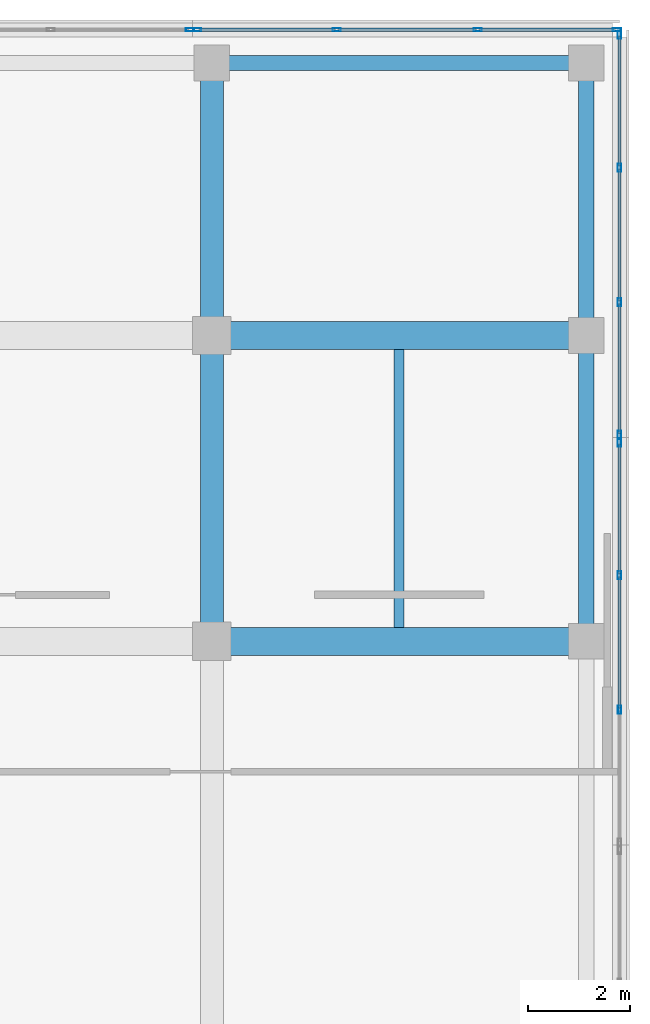
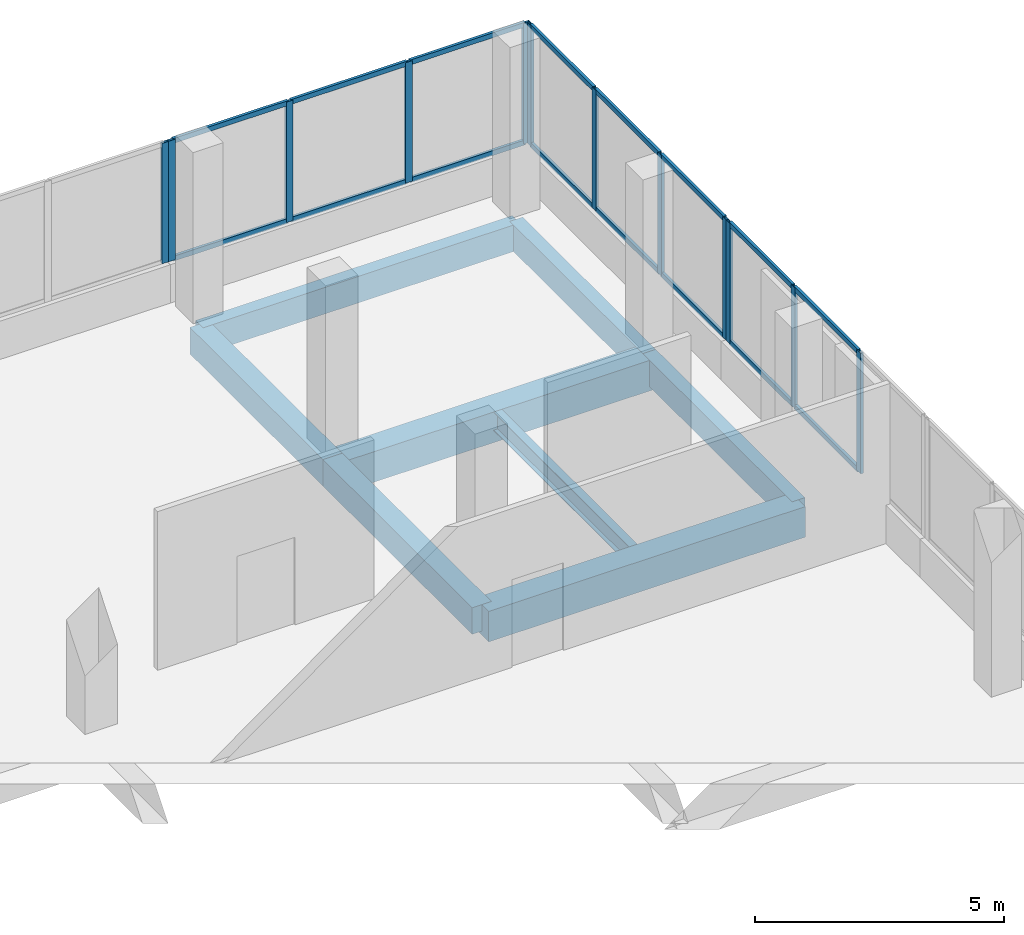
# One storey, part 141 of 184: 28 members, 8 beams, 4 elements without a shape of their own.
"""IFC4 building model written with IfcOpenShell, lengths in metres."""

import ifcopenshell
import ifcopenshell.guid

model = None  # the IFC model being written
_history = None  # IfcOwnerHistory: only IFC2X3 demands one
_inside = {}  # id of a spatial element -> (the spatial element, [elements in it])
_under = {}  # id of a project, library or spatial element -> (it, [spatial elements below it])
_declared = {}  # id of a project -> (the project, [libraries it declares])
_typed = {}  # id of a type object -> (the type object, [elements of that type])
_made_of = {}  # id of a material, layer set ... -> (it, [elements and type objects made of it])


def new_model(schema):
    """Start an empty IFC model of exactly this schema.

    Asked for "IFC4X3", IfcOpenShell would pick the latest addendum, in which some entities
    have other attributes; the version numbers below select the first issue.
    IFC2X3 requires an IfcOwnerHistory on every rooted entity: one is made here for all.
    """
    global model, _history
    if schema == "IFC4X3":
        model = ifcopenshell.file(schema_version=(4, 3, 0, 0))
    else:
        model = ifcopenshell.file(schema=schema)
    _inside.clear()
    _under.clear()
    _declared.clear()
    _typed.clear()
    _made_of.clear()
    _history = None
    if model.schema == "IFC2X3":
        org = make("IfcOrganization", Name="unknown")
        user = make(
            "IfcPersonAndOrganization",
            ThePerson=make("IfcPerson", FamilyName="unknown"),
            TheOrganization=org,
        )
        app = make(
            "IfcApplication",
            ApplicationDeveloper=org,
            Version="unknown",
            ApplicationFullName="unknown",
            ApplicationIdentifier="unknown",
        )
        _history = make(
            "IfcOwnerHistory",
            OwningUser=user,
            OwningApplication=app,
            ChangeAction="ADDED",
            CreationDate=0,
        )
    return model


def make(cls, **values):
    """One entity of the class cls with the attributes given. An attribute that is None is left unset."""
    return model.create_entity(
        cls, **{name: value for name, value in values.items() if value is not None}
    )


def rooted(cls, **values):
    """An entity with a GlobalId (a new one), such as an element, a storey or a relation."""
    return make(cls, GlobalId=ifcopenshell.guid.new(), OwnerHistory=_history, **values)


def si_unit(unit_type, name, prefix=None):
    """IfcSIUnit, for example si_unit("LENGTHUNIT", "METRE", prefix="MILLI")."""
    return make("IfcSIUnit", UnitType=unit_type, Prefix=prefix, Name=name)


def assignment(units):
    """IfcUnitAssignment: the units of a project."""
    return None if units is None else make("IfcUnitAssignment", Units=units)


def point(xyz):
    """IfcCartesianPoint."""
    return None if xyz is None else make("IfcCartesianPoint", Coordinates=xyz)


def direction(xyz):
    """IfcDirection."""
    return None if xyz is None else make("IfcDirection", DirectionRatios=xyz)


def frame(location, z_axis=None, x_axis=None):
    """IfcAxis2Placement3D, a coordinate frame: its origin and axes. An axis left out is left unset."""
    return make(
        "IfcAxis2Placement3D",
        Location=point(location),
        Axis=direction(z_axis),
        RefDirection=direction(x_axis),
    )


def frame_2d(location, x_axis=None):
    """IfcAxis2Placement2D, a coordinate frame in the plane: its origin and x axis."""
    return make(
        "IfcAxis2Placement2D", Location=point(location), RefDirection=direction(x_axis)
    )


def origin():
    """The frame at (0, 0, 0) with its axes left unset."""
    return frame((0.0, 0.0, 0.0))


def origin_2d():
    """The frame at (0, 0) in the plane with its x axis left unset."""
    return frame_2d((0.0, 0.0))


def place(relative_to, where):
    """IfcLocalPlacement: puts the frame where relative to a parent placement (None: the world)."""
    return make(
        "IfcLocalPlacement", PlacementRelTo=relative_to, RelativePlacement=where
    )


def context(
    kind, dimensions, precision=None, world=None, true_north=None, identifier=None
):
    """IfcGeometricRepresentationContext, for example the 3D "Model" context."""
    return make(
        "IfcGeometricRepresentationContext",
        ContextIdentifier=identifier,
        ContextType=kind,
        CoordinateSpaceDimension=dimensions,
        Precision=precision,
        WorldCoordinateSystem=world,
        TrueNorth=true_north,
    )


def subcontext(parent, identifier, kind, view, scale=None):
    """IfcGeometricRepresentationSubContext, for example "Body" below "Model"."""
    return make(
        "IfcGeometricRepresentationSubContext",
        ContextIdentifier=identifier,
        ContextType=kind,
        ParentContext=parent,
        TargetScale=scale,
        TargetView=view,
    )


def project(units=None, contexts=None):
    """IfcProject with its units and contexts."""
    return rooted(
        "IfcProject",
        Name="project",
        RepresentationContexts=contexts,
        UnitsInContext=assignment(units),
    )


def spatial(cls, under=None, at=None, **own):
    """A site, building, storey or space (cls), placed at a placement, below another one or the project."""
    s = rooted(cls, ObjectPlacement=at, **own)
    if under is not None:
        _under.setdefault(under.id(), (under, []))[1].append(s)
    return s


def profile(cls, at=None, kind="AREA", **sizes):
    """A parametric profile (cls). Its sizes go by their IFC names, for example OverallWidth=200.0."""
    return make(cls, ProfileType=kind, Position=at, **sizes)


def rectangle(**sizes):
    """IfcRectangleProfileDef."""
    return profile("IfcRectangleProfileDef", **sizes)


def hollow_rectangle(**sizes):
    """IfcRectangleHollowProfileDef."""
    return profile("IfcRectangleHollowProfileDef", **sizes)


def i_section(**sizes):
    """IfcIShapeProfileDef."""
    return profile("IfcIShapeProfileDef", **sizes)


def extrude(swept, where, along, depth):
    """IfcExtrudedAreaSolid: the profile swept, set in the frame where, extruded along a direction by depth."""
    return make(
        "IfcExtrudedAreaSolid",
        SweptArea=swept,
        Position=where,
        ExtrudedDirection=direction(along),
        Depth=depth,
    )


def shape(context_of_items, identifier, shape_type, items):
    """IfcShapeRepresentation: the items that make up one representation, for example the "Body"."""
    return make(
        "IfcShapeRepresentation",
        ContextOfItems=context_of_items,
        RepresentationIdentifier=identifier,
        RepresentationType=shape_type,
        Items=items,
    )


def material(Name=None, Category=None):
    """IfcMaterial."""
    return make("IfcMaterial", Name=Name, Category=Category)


def material_profile(
    of_material, cross_section, Name=None, Category=None, Priority=None
):
    """IfcMaterialProfile: a cross section and its material."""
    return make(
        "IfcMaterialProfile",
        Name=Name,
        Material=of_material,
        Profile=cross_section,
        Priority=Priority,
        Category=Category,
    )


def profile_set(profiles, Name=None, composite=None):
    """IfcMaterialProfileSet."""
    return make(
        "IfcMaterialProfileSet",
        Name=Name,
        MaterialProfiles=profiles,
        CompositeProfile=composite,
    )


def made_of(thing, what):
    """Note that an element or type object is made of a material, layer set ...; save() writes the relation."""
    if what is not None:
        _made_of.setdefault(what.id(), (what, []))[1].append(thing)
    return thing


def type_object(cls, material=None, **own):
    """A type object (cls), such as IfcWallType, which elements share."""
    return made_of(rooted(cls, **own), material)


def element(
    cls,
    number,
    at=None,
    inside=None,
    cuts=None,
    type_object=None,
    material=None,
    context=None,
    identifier="Body",
    shape_type=None,
    held_by="IfcProductDefinitionShape",
    body=None,
    shapes=None,
    **own,
):
    """One element of the class cls, such as IfcWall. Its Tag is "e" and its number.

    at: its placement. inside: the storey or other place that contains it. cuts: it is an
    opening in that element (IfcRelVoidsElement). A single representation is given by context,
    identifier, shape_type and body (its items); several are given by shapes. held_by: the class
    of the entity that holds the representations. save() writes the other relations.
    """
    e = rooted(cls, Tag="e%d" % number, ObjectPlacement=at, **own)
    if body is not None:
        shapes = [shape(context, identifier, shape_type, body)]
    if shapes is not None:
        e.Representation = make(held_by, Representations=shapes)
    if inside is not None:
        _inside.setdefault(inside.id(), (inside, []))[1].append(e)
    if cuts is not None:
        rooted(
            "IfcRelVoidsElement", RelatingBuildingElement=cuts, RelatedOpeningElement=e
        )
    if type_object is not None:
        _typed.setdefault(type_object.id(), (type_object, []))[1].append(e)
    return made_of(e, material)


def aggregate(whole, parts):
    """IfcRelAggregates: a whole, such as a stair, and the parts it consists of."""
    return rooted("IfcRelAggregates", RelatingObject=whole, RelatedObjects=parts)


def save(model, path):
    """Write the relations noted so far, then the file.

    IfcRelAggregates (storeys below a building ...), IfcRelContainedInSpatialStructure (elements
    in a storey), IfcRelDefinesByType, IfcRelAssociatesMaterial and IfcRelDeclares: one each for
    every whole, place, type object, material and project.
    """
    for whole, parts in _under.values():
        aggregate(whole, parts)
    for where, things in _inside.values():
        rooted(
            "IfcRelContainedInSpatialStructure",
            RelatedElements=things,
            RelatingStructure=where,
        )
    for kind, things in _typed.values():
        rooted("IfcRelDefinesByType", RelatedObjects=things, RelatingType=kind)
    for what, things in _made_of.values():
        rooted("IfcRelAssociatesMaterial", RelatedObjects=things, RelatingMaterial=what)
    for by, libraries in _declared.values():
        rooted("IfcRelDeclares", RelatingContext=by, RelatedDefinitions=libraries)
    model.write(path)


model = new_model("IFC4")

# Units and contexts
model_context = context("Model", 3, precision=1e-05, world=origin(), true_north=direction((0.0, 1.0)))
body_context = subcontext(model_context, "Body", "Model", "MODEL_VIEW")
ifc_project = project(units=[si_unit("LENGTHUNIT", "METRE"), si_unit("AREAUNIT", "SQUARE_METRE"), si_unit("VOLUMEUNIT", "CUBIC_METRE"), si_unit("PLANEANGLEUNIT", "RADIAN"), si_unit("MASSUNIT", "GRAM", prefix="KILO")], contexts=[model_context])

# Site, building, storey
site_placement = place(None, origin())
site = spatial("IfcSite", under=ifc_project, at=site_placement, CompositionType="ELEMENT")
building_placement = place(site_placement, origin())
building = spatial("IfcBuilding", under=site, at=building_placement, Name="Selatvlak General Hospital", CompositionType="ELEMENT")
storey_placement = place(building_placement, frame((0.0, 0.0, 15.0)))
storey = spatial("IfcBuildingStorey", under=building, at=storey_placement, Name="L03", CompositionType="ELEMENT", Elevation=15.0)

# Beams
ifc_material_1 = material(Name="Concrete C40/50", Category="concrete")
ifc_material_profile_1 = material_profile(ifc_material_1, rectangle(XDim=0.550048828125, YDim=0.75, at=origin_2d()), Name="RC-BM 550x750")
ifc_profile_set_1 = profile_set([ifc_material_profile_1], Name="Concrete C40/50")
beam_type_1 = type_object("IfcBeamType", Name="BM-G02", PredefinedType="BEAM", material=ifc_profile_set_1)
for number, where, z_axis, x_axis, name in (
    (1, (174.0, 108.0, -0.715087890625), (1.0, 0.0, 0.0), (0.0, 1.0, 0.0), "Beam BMR-L03-1261"),
    (2, (174.0, 114.0, -0.715087890625), (1.0, 0.0, 0.0), (0.0, 1.0, 0.0), "Beam BMR-L03-1274"),
):
    element("IfcBeam", number, at=place(storey_placement, frame(where, z_axis=z_axis, x_axis=x_axis)), inside=storey, type_object=beam_type_1, Name=name, PredefinedType="BEAM", context=body_context, shape_type="SweptSolid", body=[
        extrude(rectangle(XDim=0.550048828125, YDim=0.75, at=origin_2d()), origin(), (0.0, 0.0, 1.0), 7.35009765625),
    ])
ifc_material_profile_2 = material_profile(ifc_material_1, rectangle(XDim=0.449951171875, YDim=0.64990234375, at=origin_2d()), Name="RC-BM 450x650")
ifc_profile_set_2 = profile_set([ifc_material_profile_2], Name="Concrete C40/50")
beam_type_2 = type_object("IfcBeamType", Name="BM-G04", PredefinedType="BEAM", material=ifc_profile_set_2)
beam_1_placement = place(storey_placement, frame((174.0, 108.0, -0.6650390625), z_axis=(0.0, 1.0, 0.0), x_axis=(-1.0, 0.0, 0.0)))
element("IfcBeam", 3, at=beam_1_placement, inside=storey, type_object=beam_type_2, Name="Beam BMR-L03-1417", PredefinedType="BEAM", context=body_context, shape_type="SweptSolid", body=[
    extrude(rectangle(XDim=0.449951171875, YDim=0.64990234375, at=origin_2d()), origin(), (0.0, 0.0, 1.0), 6.0),
])
beam_2_placement = place(storey_placement, frame((174.0, 114.0, -0.6650390625), z_axis=(0.0, 1.0, 0.0), x_axis=(-1.0, 0.0, 0.0)))
element("IfcBeam", 4, at=beam_2_placement, inside=storey, type_object=beam_type_2, Name="Beam BMR-L03-1418", PredefinedType="BEAM", context=body_context, shape_type="SweptSolid", body=[
    extrude(rectangle(XDim=0.449951171875, YDim=0.64990234375, at=origin_2d()), origin(), (0.0, 0.0, 1.0), 5.35009765625),
])
ifc_material_2 = material(Name="Steel S355", Category="steel")
ifc_material_profile_3 = material_profile(ifc_material_2, i_section(OverallWidth=0.1904296875, OverallDepth=0.45703125, WebThickness=0.009033203125, FlangeThickness=0.014404296875, at=origin_2d()), Name="UB 457x191x74")
ifc_profile_set_3 = profile_set([ifc_material_profile_3], Name="Steel S355")
beam_type_3 = type_object("IfcBeamType", Name="BM-J03", PredefinedType="JOIST", material=ifc_profile_set_3)
beam_3_placement = place(storey_placement, frame((177.675048828125, 108.27490234375, -0.569091796875), z_axis=(0.0, 1.0, 0.0), x_axis=(-1.0, 0.0, 0.0)))
element("IfcBeam", 5, at=beam_3_placement, inside=storey, type_object=beam_type_3, Name="Beam BMR-L03-1445", PredefinedType="JOIST", context=body_context, shape_type="SweptSolid", body=[
    extrude(i_section(OverallWidth=0.1904296875, OverallDepth=0.45703125, WebThickness=0.009033203125, FlangeThickness=0.014404296875, at=origin_2d()), origin(), (0.0, 0.0, 1.0), 5.4501953125),
])
ifc_material_profile_4 = material_profile(ifc_material_1, rectangle(XDim=0.300048828125, YDim=0.64990234375, at=origin_2d()), Name="RC-SP 300x650")
ifc_profile_set_4 = profile_set([ifc_material_profile_4], Name="Concrete C40/50")
beam_type_4 = type_object("IfcBeamType", Name="BM-SP1", PredefinedType="SPANDREL", material=ifc_profile_set_4)
beam_4_placement = place(storey_placement, frame((174.0, 119.35009765625, -0.6650390625), z_axis=(1.0, 0.0, 0.0), x_axis=(0.0, 1.0, 0.0)))
element("IfcBeam", 6, at=beam_4_placement, inside=storey, type_object=beam_type_4, Name="Beam BMR-L03-1290", PredefinedType="SPANDREL", context=body_context, shape_type="SweptSolid", body=[
    extrude(rectangle(XDim=0.300048828125, YDim=0.64990234375, at=origin_2d()), origin(), (0.0, 0.0, 1.0), 7.35009765625),
])
beam_5_placement = place(storey_placement, frame((181.35009765625, 108.0, -0.6650390625), z_axis=(0.0, 1.0, 0.0), x_axis=(-1.0, 0.0, 0.0)))
element("IfcBeam", 7, at=beam_5_placement, inside=storey, type_object=beam_type_4, Name="Beam BMR-L03-1427", PredefinedType="SPANDREL", context=body_context, shape_type="SweptSolid", body=[
    extrude(rectangle(XDim=0.300048828125, YDim=0.64990234375, at=origin_2d()), origin(), (0.0, 0.0, 1.0), 6.0),
])
beam_6_placement = place(storey_placement, frame((181.35009765625, 114.0, -0.6650390625), z_axis=(0.0, 1.0, 0.0), x_axis=(-1.0, 0.0, 0.0)))
element("IfcBeam", 8, at=beam_6_placement, inside=storey, type_object=beam_type_4, Name="Beam BMR-L03-1428", PredefinedType="SPANDREL", context=body_context, shape_type="SweptSolid", body=[
    extrude(rectangle(XDim=0.300048828125, YDim=0.64990234375, at=origin_2d()), origin(), (0.0, 0.0, 1.0), 5.35009765625),
])

# Curtain wall, member
ifc_material_3 = material(Name="Solar-control Low-E double glazing", Category="glass")
curtain_wall_type_1 = type_object("IfcCurtainWallType", Name="CW-CW-01", PredefinedType="USERDEFINED", material=ifc_material_3)
curtain_wall_1_placement = place(storey_placement, origin())
curtain_wall_1 = element("IfcCurtainWall", 9, at=curtain_wall_1_placement, inside=storey, type_object=curtain_wall_type_1, Name="Glazed facade curtain wall CW-L03-0382", ObjectType="UNITISED CURTAIN WALL", PredefinedType="USERDEFINED")
ifc_material_4 = material(Name="Dark anodised aluminium mullion", Category="aluminium")
ifc_material_profile_5 = material_profile(ifc_material_4, hollow_rectangle(XDim=0.06494140625, YDim=0.159912109375, WallThickness=0.00390625, at=origin_2d()), Name="AL-MUL 65x160x4")
ifc_profile_set_5 = profile_set([ifc_material_profile_5], Name="Dark anodised aluminium mullion")
member_type_1 = type_object("IfcMemberType", Name="CWM-01", PredefinedType="MULLION", material=ifc_profile_set_5)
member_1_placement = place(storey_placement, frame((173.571533203125, 120.0, 0.93994140625), z_axis=(0.0, 0.0, 1.0), x_axis=(0.0, 1.0, 0.0)))
member_1 = element("IfcMember", 10, at=member_1_placement, type_object=member_type_1, Name="CW-01 mullion 4", PredefinedType="MULLION", context=body_context, shape_type="SweptSolid", body=[
    extrude(hollow_rectangle(XDim=0.06494140625, YDim=0.159912109375, WallThickness=0.00390625, at=origin_2d()), origin(), (0.0, 0.0, 1.0), 2.955078125),
])
aggregate(curtain_wall_1, [member_1])

# Curtain wall, members
curtain_wall_type_2 = type_object("IfcCurtainWallType", Name="CW-CW-02", PredefinedType="USERDEFINED", material=ifc_material_3)
curtain_wall_2_placement = place(storey_placement, origin())
curtain_wall_2 = element("IfcCurtainWall", 11, at=curtain_wall_2_placement, inside=storey, type_object=curtain_wall_type_2, Name="Glazed facade curtain wall CW-L03-0383", ObjectType="UNITISED CURTAIN WALL", PredefinedType="USERDEFINED")
member_2_placement = place(storey_placement, frame((173.716552734375, 120.0, 0.93994140625), z_axis=(0.0, 0.0, 1.0), x_axis=(0.0, 1.0, 0.0)))
member_2 = element("IfcMember", 12, at=member_2_placement, type_object=member_type_1, Name="CW-02 mullion 1", PredefinedType="MULLION", context=body_context, shape_type="SweptSolid", body=[
    extrude(hollow_rectangle(XDim=0.06494140625, YDim=0.159912109375, WallThickness=0.00390625, at=origin_2d()), origin(), (0.0, 0.0, 1.0), 2.955078125),
])
member_3_placement = place(storey_placement, frame((176.45068359375, 120.0, 0.93994140625), z_axis=(0.0, 0.0, 1.0), x_axis=(0.0, 1.0, 0.0)))
member_3 = element("IfcMember", 13, at=member_3_placement, type_object=member_type_1, Name="CW-02 mullion 2", PredefinedType="MULLION", context=body_context, shape_type="SweptSolid", body=[
    extrude(hollow_rectangle(XDim=0.06494140625, YDim=0.159912109375, WallThickness=0.00390625, at=origin_2d()), origin(), (0.0, 0.0, 1.0), 2.955078125),
])
member_4_placement = place(storey_placement, frame((179.21728515625, 120.0, 0.93994140625), z_axis=(0.0, 0.0, 1.0), x_axis=(0.0, 1.0, 0.0)))
member_4 = element("IfcMember", 14, at=member_4_placement, type_object=member_type_1, Name="CW-02 mullion 3", PredefinedType="MULLION", context=body_context, shape_type="SweptSolid", body=[
    extrude(hollow_rectangle(XDim=0.06494140625, YDim=0.159912109375, WallThickness=0.00390625, at=origin_2d()), origin(), (0.0, 0.0, 1.0), 2.955078125),
])
member_5_placement = place(storey_placement, frame((181.951416015625, 120.0, 0.93994140625), z_axis=(0.0, 0.0, 1.0), x_axis=(0.0, 1.0, 0.0)))
member_5 = element("IfcMember", 15, at=member_5_placement, type_object=member_type_1, Name="CW-02 mullion 4", PredefinedType="MULLION", context=body_context, shape_type="SweptSolid", body=[
    extrude(hollow_rectangle(XDim=0.06494140625, YDim=0.159912109375, WallThickness=0.00390625, at=origin_2d()), origin(), (0.0, 0.0, 1.0), 2.955078125),
])

curtain_wall_type_3 = type_object("IfcCurtainWallType", Name="CW-CW-03", PredefinedType="USERDEFINED", material=ifc_material_3)
curtain_wall_3_placement = place(storey_placement, origin())
curtain_wall_3 = element("IfcCurtainWall", 16, at=curtain_wall_3_placement, inside=storey, type_object=curtain_wall_type_3, Name="Glazed facade curtain wall CW-L03-0384", ObjectType="UNITISED CURTAIN WALL", PredefinedType="USERDEFINED")
member_6_placement = place(storey_placement, frame((181.9990234375, 119.902587890625, 0.93994140625), z_axis=(0.0, 0.0, 1.0), x_axis=(1.0, 0.0, 0.0)))
member_6 = element("IfcMember", 17, at=member_6_placement, type_object=member_type_1, Name="CW-03 mullion 1", PredefinedType="MULLION", context=body_context, shape_type="SweptSolid", body=[
    extrude(hollow_rectangle(XDim=0.06494140625, YDim=0.159912109375, WallThickness=0.00390625, at=origin_2d()), origin(), (0.0, 0.0, 1.0), 2.955078125),
])
member_7_placement = place(storey_placement, frame((181.9990234375, 117.294921875, 0.93994140625), z_axis=(0.0, 0.0, 1.0), x_axis=(1.0, 0.0, 0.0)))
member_7 = element("IfcMember", 18, at=member_7_placement, type_object=member_type_1, Name="CW-03 mullion 2", PredefinedType="MULLION", context=body_context, shape_type="SweptSolid", body=[
    extrude(hollow_rectangle(XDim=0.06494140625, YDim=0.159912109375, WallThickness=0.00390625, at=origin_2d()), origin(), (0.0, 0.0, 1.0), 2.955078125),
])
member_8_placement = place(storey_placement, frame((181.9990234375, 114.655029296875, 0.93994140625), z_axis=(0.0, 0.0, 1.0), x_axis=(1.0, 0.0, 0.0)))
member_8 = element("IfcMember", 19, at=member_8_placement, type_object=member_type_1, Name="CW-03 mullion 3", PredefinedType="MULLION", context=body_context, shape_type="SweptSolid", body=[
    extrude(hollow_rectangle(XDim=0.06494140625, YDim=0.159912109375, WallThickness=0.00390625, at=origin_2d()), origin(), (0.0, 0.0, 1.0), 2.955078125),
])
member_9_placement = place(storey_placement, frame((181.9990234375, 112.047607421875, 0.93994140625), z_axis=(0.0, 0.0, 1.0), x_axis=(1.0, 0.0, 0.0)))
member_9 = element("IfcMember", 20, at=member_9_placement, type_object=member_type_1, Name="CW-03 mullion 4", PredefinedType="MULLION", context=body_context, shape_type="SweptSolid", body=[
    extrude(hollow_rectangle(XDim=0.06494140625, YDim=0.159912109375, WallThickness=0.00390625, at=origin_2d()), origin(), (0.0, 0.0, 1.0), 2.955078125),
])

curtain_wall_4_placement = place(storey_placement, origin())
curtain_wall_4 = element("IfcCurtainWall", 21, at=curtain_wall_4_placement, inside=storey, type_object=curtain_wall_type_2, Name="Glazed facade curtain wall CW-L03-0385", ObjectType="UNITISED CURTAIN WALL", PredefinedType="USERDEFINED")
member_10_placement = place(storey_placement, frame((181.9990234375, 111.902587890625, 0.93994140625), z_axis=(0.0, 0.0, 1.0), x_axis=(0.999999992027, 0.000126278568, 0.0)))
member_10 = element("IfcMember", 22, at=member_10_placement, type_object=member_type_1, Name="CW-02 mullion 1", PredefinedType="MULLION", context=body_context, shape_type="SweptSolid", body=[
    extrude(hollow_rectangle(XDim=0.06494140625, YDim=0.159912109375, WallThickness=0.00390625, at=origin_2d()), origin(), (0.0, 0.0, 1.0), 2.955078125),
])
member_11_placement = place(storey_placement, frame((181.999267578125, 109.29541015625, 0.93994140625), z_axis=(0.0, 0.0, 1.0), x_axis=(0.999999992027, 0.000126278568, 0.0)))
member_11 = element("IfcMember", 23, at=member_11_placement, type_object=member_type_1, Name="CW-02 mullion 2", PredefinedType="MULLION", context=body_context, shape_type="SweptSolid", body=[
    extrude(hollow_rectangle(XDim=0.06494140625, YDim=0.159912109375, WallThickness=0.00390625, at=origin_2d()), origin(), (0.0, 0.0, 1.0), 2.955078125),
])
member_12_placement = place(storey_placement, frame((181.999755859375, 106.65576171875, 0.93994140625), z_axis=(0.0, 0.0, 1.0), x_axis=(0.999999992027, 0.000126278568, 0.0)))
member_12 = element("IfcMember", 24, at=member_12_placement, type_object=member_type_1, Name="CW-02 mullion 3", PredefinedType="MULLION", context=body_context, shape_type="SweptSolid", body=[
    extrude(hollow_rectangle(XDim=0.06494140625, YDim=0.159912109375, WallThickness=0.00390625, at=origin_2d()), origin(), (0.0, 0.0, 1.0), 2.955078125),
])

# Member
ifc_material_profile_6 = material_profile(ifc_material_4, hollow_rectangle(XDim=0.06494140625, YDim=0.1201171875, WallThickness=0.00390625, at=origin_2d()), Name="AL-TRN 65x120x4")
ifc_profile_set_6 = profile_set([ifc_material_profile_6], Name="Dark anodised aluminium mullion")
member_type_2 = type_object("IfcMemberType", Name="CWT-01", PredefinedType="USERDEFINED", material=ifc_profile_set_6)
member_13_placement = place(storey_placement, frame((173.7490234375, 120.0, 0.972412109375), z_axis=(1.0, 0.0, 0.0), x_axis=(0.0, 1.0, 0.0)))
member_13 = element("IfcMember", 25, at=member_13_placement, type_object=member_type_2, Name="CW-02 transom 1.1", ObjectType="TRANSOM", PredefinedType="USERDEFINED", context=body_context, shape_type="SweptSolid", body=[
    extrude(hollow_rectangle(XDim=0.06494140625, YDim=0.1201171875, WallThickness=0.00390625, at=origin_2d()), origin(), (0.0, 0.0, 1.0), 2.669189453125),
])

member_14_placement = place(storey_placement, frame((173.7490234375, 120.0, 3.862548828125), z_axis=(1.0, 0.0, 0.0), x_axis=(0.0, 1.0, 0.0)))
member_14 = element("IfcMember", 26, at=member_14_placement, type_object=member_type_2, Name="CW-02 transom 1.2", ObjectType="TRANSOM", PredefinedType="USERDEFINED", context=body_context, shape_type="SweptSolid", body=[
    extrude(hollow_rectangle(XDim=0.06494140625, YDim=0.1201171875, WallThickness=0.00390625, at=origin_2d()), origin(), (0.0, 0.0, 1.0), 2.669189453125),
])

member_15_placement = place(storey_placement, frame((176.483154296875, 120.0, 0.972412109375), z_axis=(1.0, 0.0, 0.0), x_axis=(0.0, 1.0, 0.0)))
member_15 = element("IfcMember", 27, at=member_15_placement, type_object=member_type_2, Name="CW-02 transom 2.1", ObjectType="TRANSOM", PredefinedType="USERDEFINED", context=body_context, shape_type="SweptSolid", body=[
    extrude(hollow_rectangle(XDim=0.06494140625, YDim=0.1201171875, WallThickness=0.00390625, at=origin_2d()), origin(), (0.0, 0.0, 1.0), 2.70166015625),
])

member_16_placement = place(storey_placement, frame((176.483154296875, 120.0, 3.862548828125), z_axis=(1.0, 0.0, 0.0), x_axis=(0.0, 1.0, 0.0)))
member_16 = element("IfcMember", 28, at=member_16_placement, type_object=member_type_2, Name="CW-02 transom 2.2", ObjectType="TRANSOM", PredefinedType="USERDEFINED", context=body_context, shape_type="SweptSolid", body=[
    extrude(hollow_rectangle(XDim=0.06494140625, YDim=0.1201171875, WallThickness=0.00390625, at=origin_2d()), origin(), (0.0, 0.0, 1.0), 2.70166015625),
])

member_17_placement = place(storey_placement, frame((179.249755859375, 120.0, 0.972412109375), z_axis=(1.0, 0.0, 0.0), x_axis=(0.0, 1.0, 0.0)))
member_17 = element("IfcMember", 29, at=member_17_placement, type_object=member_type_2, Name="CW-02 transom 3.1", ObjectType="TRANSOM", PredefinedType="USERDEFINED", context=body_context, shape_type="SweptSolid", body=[
    extrude(hollow_rectangle(XDim=0.06494140625, YDim=0.1201171875, WallThickness=0.00390625, at=origin_2d()), origin(), (0.0, 0.0, 1.0), 2.669189453125),
])

member_18_placement = place(storey_placement, frame((179.249755859375, 120.0, 3.862548828125), z_axis=(1.0, 0.0, 0.0), x_axis=(0.0, 1.0, 0.0)))
member_18 = element("IfcMember", 30, at=member_18_placement, type_object=member_type_2, Name="CW-02 transom 3.2", ObjectType="TRANSOM", PredefinedType="USERDEFINED", context=body_context, shape_type="SweptSolid", body=[
    extrude(hollow_rectangle(XDim=0.06494140625, YDim=0.1201171875, WallThickness=0.00390625, at=origin_2d()), origin(), (0.0, 0.0, 1.0), 2.669189453125),
])

aggregate(curtain_wall_2, [member_2, member_3, member_4, member_5, member_13, member_14, member_15, member_16, member_17, member_18])

member_19_placement = place(storey_placement, frame((181.9990234375, 119.8701171875, 0.972412109375), z_axis=(0.0, -1.0, 0.0), x_axis=(1.0, 0.0, 0.0)))
member_19 = element("IfcMember", 31, at=member_19_placement, type_object=member_type_2, Name="CW-03 transom 1.1", ObjectType="TRANSOM", PredefinedType="USERDEFINED", context=body_context, shape_type="SweptSolid", body=[
    extrude(hollow_rectangle(XDim=0.06494140625, YDim=0.1201171875, WallThickness=0.00390625, at=origin_2d()), origin(), (0.0, 0.0, 1.0), 2.542724609375),
])

member_20_placement = place(storey_placement, frame((181.9990234375, 119.8701171875, 3.862548828125), z_axis=(0.0, -1.0, 0.0), x_axis=(1.0, 0.0, 0.0)))
member_20 = element("IfcMember", 32, at=member_20_placement, type_object=member_type_2, Name="CW-03 transom 1.2", ObjectType="TRANSOM", PredefinedType="USERDEFINED", context=body_context, shape_type="SweptSolid", body=[
    extrude(hollow_rectangle(XDim=0.06494140625, YDim=0.1201171875, WallThickness=0.00390625, at=origin_2d()), origin(), (0.0, 0.0, 1.0), 2.542724609375),
])

member_21_placement = place(storey_placement, frame((181.9990234375, 117.262451171875, 0.972412109375), z_axis=(0.0, -1.0, 0.0), x_axis=(1.0, 0.0, 0.0)))
member_21 = element("IfcMember", 33, at=member_21_placement, type_object=member_type_2, Name="CW-03 transom 2.1", ObjectType="TRANSOM", PredefinedType="USERDEFINED", context=body_context, shape_type="SweptSolid", body=[
    extrude(hollow_rectangle(XDim=0.06494140625, YDim=0.1201171875, WallThickness=0.00390625, at=origin_2d()), origin(), (0.0, 0.0, 1.0), 2.574951171875),
])

member_22_placement = place(storey_placement, frame((181.9990234375, 117.262451171875, 3.862548828125), z_axis=(0.0, -1.0, 0.0), x_axis=(1.0, 0.0, 0.0)))
member_22 = element("IfcMember", 34, at=member_22_placement, type_object=member_type_2, Name="CW-03 transom 2.2", ObjectType="TRANSOM", PredefinedType="USERDEFINED", context=body_context, shape_type="SweptSolid", body=[
    extrude(hollow_rectangle(XDim=0.06494140625, YDim=0.1201171875, WallThickness=0.00390625, at=origin_2d()), origin(), (0.0, 0.0, 1.0), 2.574951171875),
])

member_23_placement = place(storey_placement, frame((181.9990234375, 114.62255859375, 0.972412109375), z_axis=(0.0, -1.0, 0.0), x_axis=(1.0, 0.0, 0.0)))
member_23 = element("IfcMember", 35, at=member_23_placement, type_object=member_type_2, Name="CW-03 transom 3.1", ObjectType="TRANSOM", PredefinedType="USERDEFINED", context=body_context, shape_type="SweptSolid", body=[
    extrude(hollow_rectangle(XDim=0.06494140625, YDim=0.1201171875, WallThickness=0.00390625, at=origin_2d()), origin(), (0.0, 0.0, 1.0), 2.54248046875),
])

member_24_placement = place(storey_placement, frame((181.9990234375, 114.62255859375, 3.862548828125), z_axis=(0.0, -1.0, 0.0), x_axis=(1.0, 0.0, 0.0)))
member_24 = element("IfcMember", 36, at=member_24_placement, type_object=member_type_2, Name="CW-03 transom 3.2", ObjectType="TRANSOM", PredefinedType="USERDEFINED", context=body_context, shape_type="SweptSolid", body=[
    extrude(hollow_rectangle(XDim=0.06494140625, YDim=0.1201171875, WallThickness=0.00390625, at=origin_2d()), origin(), (0.0, 0.0, 1.0), 2.54248046875),
])

aggregate(curtain_wall_3, [member_6, member_7, member_8, member_9, member_19, member_20, member_21, member_22, member_23, member_24])

member_25_placement = place(storey_placement, frame((181.9990234375, 111.8701171875, 0.972412109375), z_axis=(9.6033803e-05, -0.999999995389, 0.0), x_axis=(0.999999995389, 9.6033803e-05, 0.0)))
member_25 = element("IfcMember", 37, at=member_25_placement, type_object=member_type_2, Name="CW-02 transom 1.1", ObjectType="TRANSOM", PredefinedType="USERDEFINED", context=body_context, shape_type="SweptSolid", body=[
    extrude(hollow_rectangle(XDim=0.06494140625, YDim=0.1201171875, WallThickness=0.00390625, at=origin_2d()), origin(), (0.0, 0.0, 1.0), 2.542236328125),
])

member_26_placement = place(storey_placement, frame((181.9990234375, 111.8701171875, 3.862548828125), z_axis=(9.6033803e-05, -0.999999995389, 0.0), x_axis=(0.999999995389, 9.6033803e-05, 0.0)))
member_26 = element("IfcMember", 38, at=member_26_placement, type_object=member_type_2, Name="CW-02 transom 1.2", ObjectType="TRANSOM", PredefinedType="USERDEFINED", context=body_context, shape_type="SweptSolid", body=[
    extrude(hollow_rectangle(XDim=0.06494140625, YDim=0.1201171875, WallThickness=0.00390625, at=origin_2d()), origin(), (0.0, 0.0, 1.0), 2.542236328125),
])

member_27_placement = place(storey_placement, frame((181.999267578125, 109.262939453125, 0.972412109375), z_axis=(0.00018964536, -0.999999982017, 0.0), x_axis=(0.999999982017, 0.00018964536, 0.0)))
member_27 = element("IfcMember", 39, at=member_27_placement, type_object=member_type_2, Name="CW-02 transom 2.1", ObjectType="TRANSOM", PredefinedType="USERDEFINED", context=body_context, shape_type="SweptSolid", body=[
    extrude(hollow_rectangle(XDim=0.06494140625, YDim=0.1201171875, WallThickness=0.00390625, at=origin_2d()), origin(), (0.0, 0.0, 1.0), 2.57470703125),
])

member_28_placement = place(storey_placement, frame((181.999267578125, 109.262939453125, 3.862548828125), z_axis=(0.00018964536, -0.999999982017, 0.0), x_axis=(0.999999982017, 0.00018964536, 0.0)))
member_28 = element("IfcMember", 40, at=member_28_placement, type_object=member_type_2, Name="CW-02 transom 2.2", ObjectType="TRANSOM", PredefinedType="USERDEFINED", context=body_context, shape_type="SweptSolid", body=[
    extrude(hollow_rectangle(XDim=0.06494140625, YDim=0.1201171875, WallThickness=0.00390625, at=origin_2d()), origin(), (0.0, 0.0, 1.0), 2.57470703125),
])

aggregate(curtain_wall_4, [member_10, member_11, member_12, member_25, member_26, member_27, member_28])

save(model, "model.ifc")
